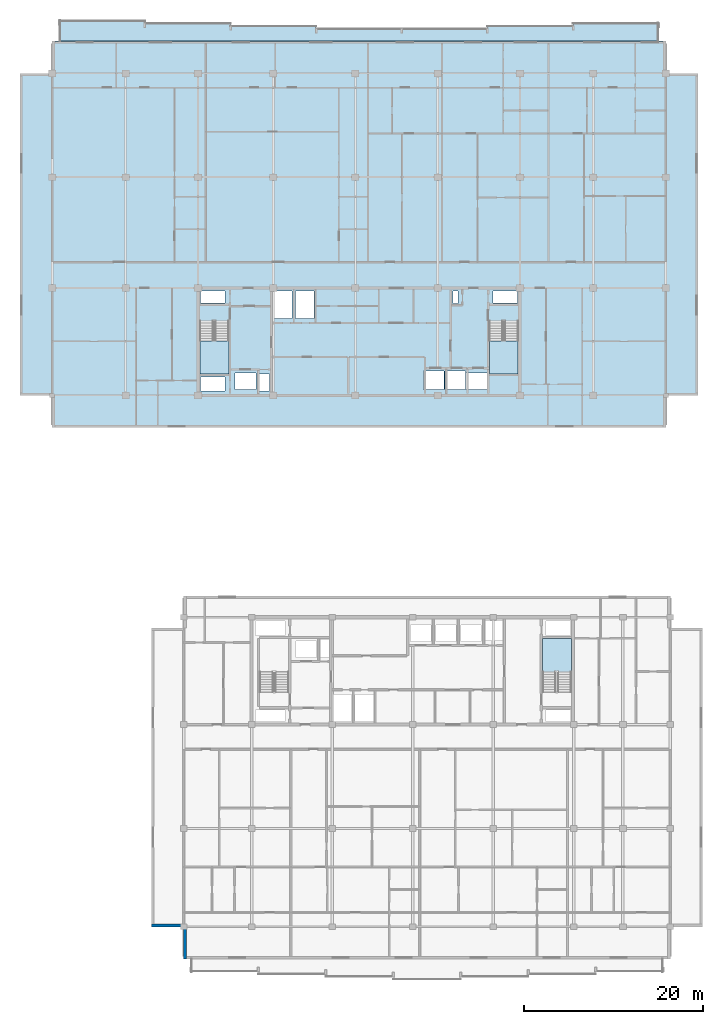
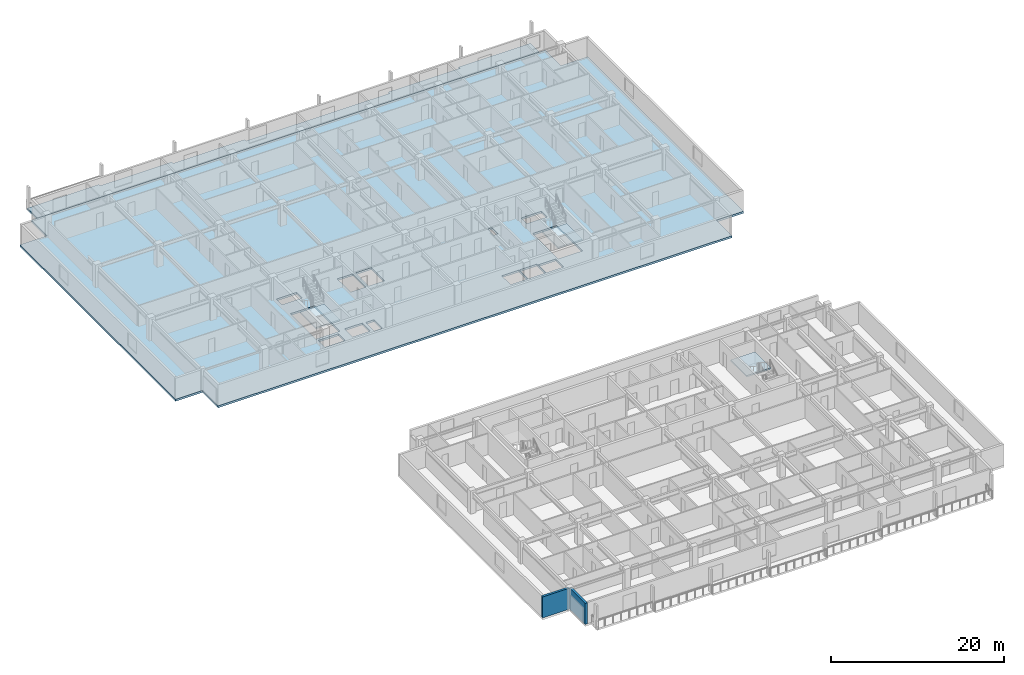
# One storey, part 3 of 21: 5 slabs, 2 walls, 3 elements without a shape of their own.
"""IFC4 building model written with IfcOpenShell, lengths in metres."""

from ifc_helpers import new_model, si_unit, direction, frame, frame_2d, origin, place, context, subcontext, project, spatial, polyline, rectangle, outline, extrude, material, layer, layer_set, type_object, element, aggregate, save


model = new_model("IFC4")

# Units and contexts
model_context = context("Model", 3, precision=1e-05, world=origin(), true_north=direction((0.0, 1.0)))
body_context = subcontext(model_context, "Body", "Model", "MODEL_VIEW")
ifc_project = project(units=[si_unit("LENGTHUNIT", "METRE"), si_unit("AREAUNIT", "SQUARE_METRE"), si_unit("VOLUMEUNIT", "CUBIC_METRE"), si_unit("PLANEANGLEUNIT", "RADIAN"), si_unit("MASSUNIT", "GRAM", prefix="KILO")], contexts=[model_context])

# Site, building, storey
site_placement = place(None, origin())
site = spatial("IfcSite", under=ifc_project, at=site_placement, CompositionType="ELEMENT")
building_placement = place(site_placement, origin())
building = spatial("IfcBuilding", under=site, at=building_placement, Name="Korimba Cascade Residences", CompositionType="ELEMENT")
storey_placement = place(building_placement, frame((0.0, 0.0, 184.85009765625)))
storey = spatial("IfcBuildingStorey", under=building, at=storey_placement, Name="L53", CompositionType="ELEMENT", Elevation=184.85009765625)

# Stair, slab
ifc_material_1 = material(Name="Concrete C50/60", Category="concrete")
stair_type_1 = type_object("IfcStairType", Name="STR-W1-18R-1806", PredefinedType="HALF_TURN_STAIR", material=ifc_material_1)
stair_1_placement = place(storey_placement, origin())
stair_1 = element("IfcStair", 1, at=stair_1_placement, inside=storey, type_object=stair_type_1, Name="L53 Tower 1 West Fire Stair ST-W1", PredefinedType="HALF_TURN_STAIR")
ifc_layer_1 = layer(ifc_material_1, 0.199951171875)
ifc_layer_set_1 = layer_set([ifc_layer_1], Name="Concrete C50/60")
slab_type_1 = type_object("IfcSlabType", Name="SLB-LND-220", PredefinedType="LANDING", material=ifc_layer_set_1)
slab_1_placement = place(storey_placement, frame((0.0, 0.0, 1.4248046875)))
slab_1 = element("IfcSlab", 2, at=slab_1_placement, type_object=slab_type_1, Name="ST-W1 landing 1", PredefinedType="LANDING", context=body_context, shape_type="SweptSolid", body=[
    extrude(outline(polyline([(76.300048828125, 61.31005859375), (76.300048828125, 57.60009765625), (79.5400390625, 57.60009765625), (79.5400390625, 61.31005859375), (76.300048828125, 61.31005859375)])), origin(), (0.0, 0.0, 1.0), 0.2001953125),
])
aggregate(stair_1, [slab_1])

stair_type_2 = type_object("IfcStairType", Name="STR-W2-18R-1806", PredefinedType="HALF_TURN_STAIR", material=ifc_material_1)
stair_2_placement = place(storey_placement, origin())
stair_2 = element("IfcStair", 3, at=stair_2_placement, inside=storey, type_object=stair_type_2, Name="L53 Tower 1 East Fire Stair ST-W2", PredefinedType="HALF_TURN_STAIR")
slab_2_placement = place(storey_placement, frame((0.0, 0.0, 1.4248046875)))
slab_2 = element("IfcSlab", 4, at=slab_2_placement, type_object=slab_type_1, Name="ST-W2 landing 1", PredefinedType="LANDING", context=body_context, shape_type="SweptSolid", body=[
    extrude(outline(polyline([(108.659912109375, 61.31005859375), (108.659912109375, 57.60009765625), (111.89990234375, 57.60009765625), (111.89990234375, 61.31005859375), (108.659912109375, 61.31005859375)])), origin(), (0.0, 0.0, 1.0), 0.2001953125),
])
aggregate(stair_2, [slab_2])

stair_type_3 = type_object("IfcStairType", Name="STR-E2-18R-1806", PredefinedType="HALF_TURN_STAIR", material=ifc_material_1)
stair_3_placement = place(storey_placement, origin())
stair_3 = element("IfcStair", 5, at=stair_3_placement, inside=storey, type_object=stair_type_3, Name="L53 Tower 2 East Fire Stair ST-E2", PredefinedType="HALF_TURN_STAIR")
slab_3_placement = place(storey_placement, frame((0.0, 0.0, 1.4248046875)))
slab_3 = element("IfcSlab", 6, at=slab_3_placement, type_object=slab_type_1, Name="ST-E2 landing 1", PredefinedType="LANDING", context=body_context, shape_type="SweptSolid", body=[
    extrude(outline(polyline([(117.840087890625, 24.2900390625), (117.840087890625, 28.0), (114.60009765625, 28.0), (114.60009765625, 24.2900390625), (117.840087890625, 24.2900390625)])), origin(), (0.0, 0.0, 1.0), 0.2001953125),
])
aggregate(stair_3, [slab_3])

# Slabs
ifc_material_2 = material(Name="Precast concrete C40/50", Category="concrete")
ifc_layer_2 = layer(ifc_material_2, 0.239990234375)
ifc_layer_set_2 = layer_set([ifc_layer_2], Name="Precast concrete C40/50")
slab_type_2 = type_object("IfcSlabType", Name="SLB-LOG-240", PredefinedType="FLOOR", material=ifc_layer_set_2)
slab_4_placement = place(storey_placement, frame((0.0, 0.0, -0.239990234375)))
element("IfcSlab", 7, at=slab_4_placement, inside=storey, type_object=slab_type_2, Name="L53 Tower 1 North Loggia Slab", PredefinedType="FLOOR", context=body_context, shape_type="SweptSolid", body=[
    extrude(outline(polyline([(60.60009765625, 94.800048828125), (127.60009765625, 94.800048828125), (127.60009765625, 96.85009765625), (118.028564453125, 96.85009765625), (118.028564453125, 96.550048828125), (108.45703125, 96.550048828125), (108.45703125, 96.25), (89.314208984375, 96.25), (89.314208984375, 96.550048828125), (79.742919921875, 96.550048828125), (79.742919921875, 96.85009765625), (70.17138671875, 96.85009765625), (70.17138671875, 97.14990234375), (60.60009765625, 97.14990234375), (60.60009765625, 94.800048828125)])), origin(), (0.0, 0.0, 1.0), 0.239990234375),
])
ifc_layer_3 = layer(ifc_material_1, 0.280029296875)
ifc_layer_set_3 = layer_set([ifc_layer_3], Name="Concrete C50/60")
slab_type_3 = type_object("IfcSlabType", Name="SLB-TYP-280", PredefinedType="FLOOR", material=ifc_layer_set_3)
slab_5_placement = place(storey_placement, frame((0.0, 0.0, -0.280029296875)))
element("IfcSlab", 8, at=slab_5_placement, inside=storey, type_object=slab_type_3, Name="L53 Tower 1 Floor Slab", PredefinedType="FLOOR", context=body_context, shape_type="SweptSolid", body=[
    extrude(outline(polyline([(59.800048828125, 51.60009765625), (128.39990234375, 51.60009765625), (128.39990234375, 55.199951171875), (132.0, 55.199951171875), (132.0, 91.199951171875), (128.39990234375, 91.199951171875), (128.39990234375, 94.800048828125), (59.800048828125, 94.800048828125), (59.800048828125, 91.199951171875), (56.199951171875, 91.199951171875), (56.199951171875, 55.199951171875), (59.800048828125, 55.199951171875), (59.800048828125, 51.60009765625)]), holes=[polyline([(76.300048828125, 63.514892578125), (76.300048828125, 57.60009765625), (79.5400390625, 57.60009765625), (79.5400390625, 63.514892578125), (76.300048828125, 63.514892578125)]), polyline([(108.659912109375, 63.514892578125), (108.659912109375, 57.60009765625), (111.89990234375, 57.60009765625), (111.89990234375, 63.514892578125), (108.659912109375, 63.514892578125)]), polyline([(80.22998046875, 55.8798828125), (82.570068359375, 55.8798828125), (82.570068359375, 57.719970703125), (80.22998046875, 57.719970703125), (80.22998046875, 55.8798828125)]), polyline([(106.080078125, 55.8798828125), (108.419921875, 55.8798828125), (108.419921875, 57.719970703125), (106.080078125, 57.719970703125), (106.080078125, 55.8798828125)]), polyline([(101.304931640625, 55.8798828125), (103.594970703125, 55.8798828125), (103.594970703125, 57.919921875), (101.304931640625, 57.919921875), (101.304931640625, 55.8798828125)]), polyline([(103.705078125, 55.8798828125), (105.9951171875, 55.8798828125), (105.9951171875, 57.919921875), (103.705078125, 57.919921875), (103.705078125, 55.8798828125)]), polyline([(82.97998046875, 55.679931640625), (84.080078125, 55.679931640625), (84.080078125, 57.6201171875), (82.97998046875, 57.6201171875), (82.97998046875, 55.679931640625)]), polyline([(76.39990234375, 65.56005859375), (79.10009765625, 65.56005859375), (79.10009765625, 66.8798828125), (76.39990234375, 66.8798828125), (76.39990234375, 65.56005859375)]), polyline([(76.39990234375, 55.679931640625), (79.10009765625, 55.679931640625), (79.10009765625, 57.239990234375), (76.39990234375, 57.239990234375), (76.39990234375, 55.679931640625)]), polyline([(84.530029296875, 63.820068359375), (86.6201171875, 63.820068359375), (86.6201171875, 66.8798828125), (84.530029296875, 66.8798828125), (84.530029296875, 63.820068359375)]), polyline([(86.97998046875, 63.820068359375), (89.070068359375, 63.820068359375), (89.070068359375, 66.8798828125), (86.97998046875, 66.8798828125), (86.97998046875, 63.820068359375)]), polyline([(104.6201171875, 65.4599609375), (105.179931640625, 65.4599609375), (105.179931640625, 66.8798828125), (104.6201171875, 66.8798828125), (104.6201171875, 65.4599609375)]), polyline([(109.080078125, 65.56005859375), (111.800048828125, 65.56005859375), (111.800048828125, 66.8798828125), (109.080078125, 66.8798828125), (109.080078125, 65.56005859375)])]), origin(), (0.0, 0.0, 1.0), 0.280029296875),
])

# Walls
ifc_layer_4 = layer(ifc_material_2, 0.300048828125)
ifc_layer_set_4 = layer_set([ifc_layer_4], Name="Precast concrete C40/50")
wall_type = type_object("IfcWallType", Name="EW-STONE-300", PredefinedType="STANDARD", material=ifc_layer_set_4)
for number, where, z_axis, x_axis, name in (
    (9, (70.89990234375, -4.050048828125, 0.0), (0.0, 0.0, 1.0), (1.0, 0.0, 0.0), "L53 T2 Perimeter Stone Wall E10"),
    (10, (74.64990234375, -4.199951171875, 0.0), (0.0, 0.0, 1.0), (0.0, -1.0, 0.0), "L53 T2 Perimeter Stone Wall E11"),
):
    element("IfcWall", number, at=place(storey_placement, frame(where, z_axis=z_axis, x_axis=x_axis)), inside=storey, type_object=wall_type, Name=name, PredefinedType="STANDARD", context=body_context, shape_type="SweptSolid", body=[
        extrude(rectangle(XDim=3.60009765625, YDim=0.300048828125, at=frame_2d((1.800048828125, 0.0))), origin(), (0.0, 0.0, 1.0), 2.969970703125),
    ])

save(model, "model.ifc")
